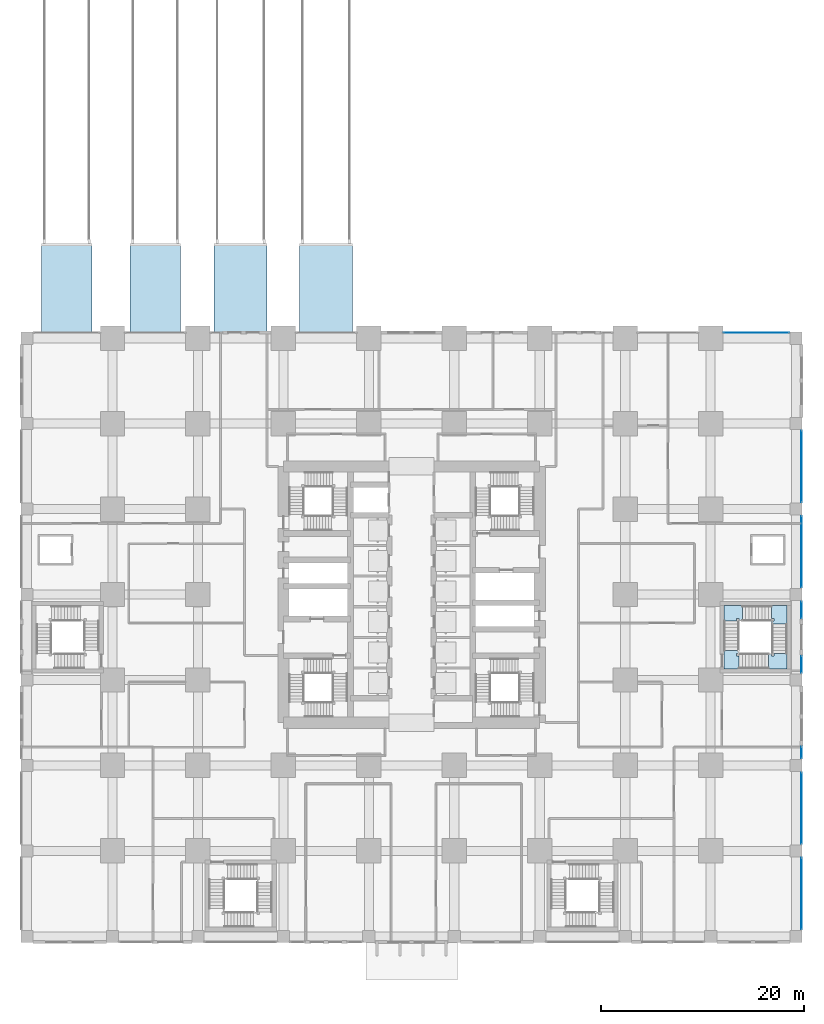
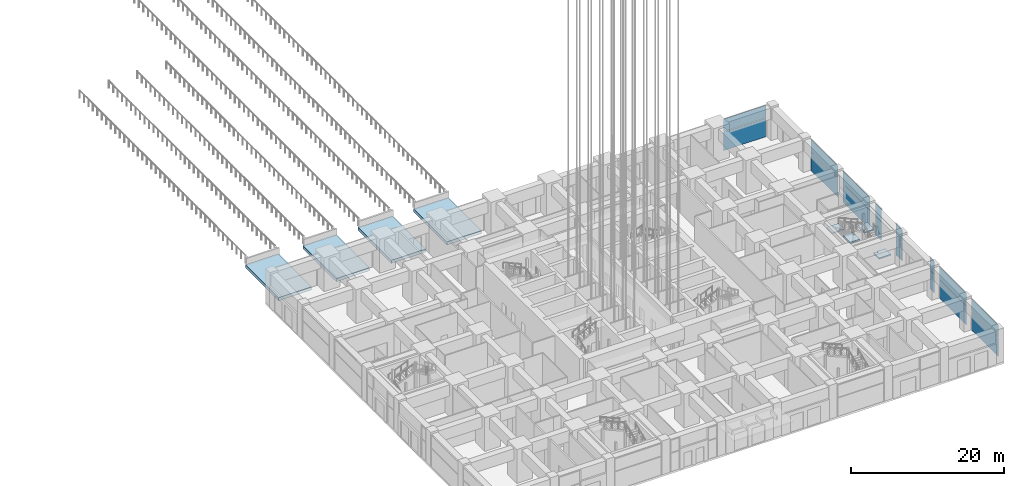
# One storey, part 36 of 81: 16 plates, 8 slabs, 9 elements without a shape of their own.
"""IFC4 building model written with IfcOpenShell, lengths in metres."""

from ifc_helpers import new_model, si_unit, direction, frame, origin, origin_2d, place, context, subcontext, project, spatial, polyline, rectangle, outline, extrude, material, layer, layer_set, type_object, element, aggregate, save


model = new_model("IFC4")

# Units and contexts
model_context = context("Model", 3, precision=1e-05, world=origin(), true_north=direction((0.0, 1.0)))
body_context = subcontext(model_context, "Body", "Model", "MODEL_VIEW")
ifc_project = project(units=[si_unit("LENGTHUNIT", "METRE"), si_unit("AREAUNIT", "SQUARE_METRE"), si_unit("VOLUMEUNIT", "CUBIC_METRE"), si_unit("PLANEANGLEUNIT", "RADIAN"), si_unit("MASSUNIT", "GRAM", prefix="KILO")], contexts=[model_context])

# Site, building, storey
site_placement = place(None, origin())
site = spatial("IfcSite", under=ifc_project, at=site_placement, CompositionType="ELEMENT")
building_placement = place(site_placement, origin())
building = spatial("IfcBuilding", under=site, at=building_placement, Name="Rekha Terrace Tower", CompositionType="ELEMENT")
storey_placement = place(building_placement, origin())
storey = spatial("IfcBuildingStorey", under=building, at=storey_placement, Name="L00", CompositionType="ELEMENT", Elevation=0.0)

# Curtain wall, plates
ifc_material_1 = material(Name="Aluminium framing", Category="aluminium")
curtain_wall_type = type_object("IfcCurtainWallType", Name="CW4 podium shopfront glazing", PredefinedType="USERDEFINED", material=ifc_material_1)
curtain_wall_1_placement = place(storey_placement, origin())
curtain_wall_1 = element("IfcCurtainWall", 1, at=curtain_wall_1_placement, inside=storey, type_object=curtain_wall_type, Name="CW4 shopfront curtain wall", ObjectType="SHOPFRONT CURTAIN WALL", PredefinedType="USERDEFINED")
ifc_material_2 = material(Name="Laminated double-glazed unit 30", Category="glass")
ifc_layer_1 = layer(ifc_material_2, 0.030029296875)
ifc_layer_set_1 = layer_set([ifc_layer_1], Name="Laminated double-glazed unit 30")
plate_type = type_object("IfcPlateType", Name="CW4 jumbo vision panel, laminated double-glazed unit 30", PredefinedType="CURTAIN_PANEL", material=ifc_layer_set_1)
plate_1_placement = place(storey_placement, frame((76.139892578125, 4.199951171875, 0.0), z_axis=(0.0, 0.0, 1.0), x_axis=(0.0, 1.0, 0.0)))
plate_1 = element("IfcPlate", 2, at=plate_1_placement, type_object=plate_type, Name="CW4 panel 1.1", PredefinedType="CURTAIN_PANEL", context=body_context, shape_type="SweptSolid", body=[
    extrude(rectangle(XDim=7.010009765625, YDim=0.030029296875, at=origin_2d()), origin(), (0.0, 0.0, 1.0), 2.96240234375),
])
plate_2_placement = place(storey_placement, frame((76.139892578125, 4.199951171875, 3.03759765625), z_axis=(0.0, 0.0, 1.0), x_axis=(0.0, 1.0, 0.0)))
plate_2 = element("IfcPlate", 3, at=plate_2_placement, type_object=plate_type, Name="CW4 panel 1.2", PredefinedType="CURTAIN_PANEL", context=body_context, shape_type="SweptSolid", body=[
    extrude(rectangle(XDim=7.010009765625, YDim=0.030029296875, at=origin_2d()), origin(), (0.0, 0.0, 1.0), 1.987548828125),
])
aggregate(curtain_wall_1, [plate_1, plate_2])

curtain_wall_2_placement = place(storey_placement, origin())
curtain_wall_2 = element("IfcCurtainWall", 4, at=curtain_wall_2_placement, inside=storey, type_object=curtain_wall_type, Name="CW4 shopfront curtain wall", ObjectType="SHOPFRONT CURTAIN WALL", PredefinedType="USERDEFINED")
plate_3_placement = place(storey_placement, frame((76.139892578125, 12.60009765625, 0.0), z_axis=(0.0, 0.0, 1.0), x_axis=(0.0, 1.0, 0.0)))
plate_3 = element("IfcPlate", 5, at=plate_3_placement, type_object=plate_type, Name="CW4 panel 1.1", PredefinedType="CURTAIN_PANEL", context=body_context, shape_type="SweptSolid", body=[
    extrude(rectangle(XDim=7.010009765625, YDim=0.030029296875, at=origin_2d()), origin(), (0.0, 0.0, 1.0), 2.96240234375),
])
plate_4_placement = place(storey_placement, frame((76.139892578125, 12.60009765625, 3.03759765625), z_axis=(0.0, 0.0, 1.0), x_axis=(0.0, 1.0, 0.0)))
plate_4 = element("IfcPlate", 6, at=plate_4_placement, type_object=plate_type, Name="CW4 panel 1.2", PredefinedType="CURTAIN_PANEL", context=body_context, shape_type="SweptSolid", body=[
    extrude(rectangle(XDim=7.010009765625, YDim=0.030029296875, at=origin_2d()), origin(), (0.0, 0.0, 1.0), 1.987548828125),
])
aggregate(curtain_wall_2, [plate_3, plate_4])

curtain_wall_3_placement = place(storey_placement, origin())
curtain_wall_3 = element("IfcCurtainWall", 7, at=curtain_wall_3_placement, inside=storey, type_object=curtain_wall_type, Name="CW4 shopfront curtain wall", ObjectType="SHOPFRONT CURTAIN WALL", PredefinedType="USERDEFINED")
plate_5_placement = place(storey_placement, frame((76.139892578125, 18.06005859375, 0.0), z_axis=(0.0, 0.0, 1.0), x_axis=(0.0, 1.0, 0.0)))
plate_5 = element("IfcPlate", 8, at=plate_5_placement, type_object=plate_type, Name="CW4 panel 1.1", PredefinedType="CURTAIN_PANEL", context=body_context, shape_type="SweptSolid", body=[
    extrude(rectangle(XDim=1.1298828125, YDim=0.030029296875, at=origin_2d()), origin(), (0.0, 0.0, 1.0), 2.96240234375),
])
plate_6_placement = place(storey_placement, frame((76.139892578125, 18.06005859375, 3.03759765625), z_axis=(0.0, 0.0, 1.0), x_axis=(0.0, 1.0, 0.0)))
plate_6 = element("IfcPlate", 9, at=plate_6_placement, type_object=plate_type, Name="CW4 panel 1.2", PredefinedType="CURTAIN_PANEL", context=body_context, shape_type="SweptSolid", body=[
    extrude(rectangle(XDim=1.1298828125, YDim=0.030029296875, at=origin_2d()), origin(), (0.0, 0.0, 1.0), 1.987548828125),
])
aggregate(curtain_wall_3, [plate_5, plate_6])

curtain_wall_4_placement = place(storey_placement, origin())
curtain_wall_4 = element("IfcCurtainWall", 10, at=curtain_wall_4_placement, inside=storey, type_object=curtain_wall_type, Name="CW4 shopfront curtain wall", ObjectType="SHOPFRONT CURTAIN WALL", PredefinedType="USERDEFINED")
plate_7_placement = place(storey_placement, frame((76.139892578125, 26.7099609375, 0.0), z_axis=(0.0, 0.0, 1.0), x_axis=(0.0, 1.0, 0.0)))
plate_7 = element("IfcPlate", 11, at=plate_7_placement, type_object=plate_type, Name="CW4 panel 1.1", PredefinedType="CURTAIN_PANEL", context=body_context, shape_type="SweptSolid", body=[
    extrude(rectangle(XDim=1.6298828125, YDim=0.030029296875, at=origin_2d()), origin(), (0.0, 0.0, 1.0), 2.96240234375),
])
plate_8_placement = place(storey_placement, frame((76.139892578125, 26.7099609375, 3.03759765625), z_axis=(0.0, 0.0, 1.0), x_axis=(0.0, 1.0, 0.0)))
plate_8 = element("IfcPlate", 12, at=plate_8_placement, type_object=plate_type, Name="CW4 panel 1.2", PredefinedType="CURTAIN_PANEL", context=body_context, shape_type="SweptSolid", body=[
    extrude(rectangle(XDim=1.6298828125, YDim=0.030029296875, at=origin_2d()), origin(), (0.0, 0.0, 1.0), 1.987548828125),
])
aggregate(curtain_wall_4, [plate_7, plate_8])

curtain_wall_5_placement = place(storey_placement, origin())
curtain_wall_5 = element("IfcCurtainWall", 13, at=curtain_wall_5_placement, inside=storey, type_object=curtain_wall_type, Name="CW4 shopfront curtain wall", ObjectType="SHOPFRONT CURTAIN WALL", PredefinedType="USERDEFINED")
plate_9_placement = place(storey_placement, frame((76.139892578125, 32.090087890625, 0.0), z_axis=(0.0, 0.0, 1.0), x_axis=(0.0, 1.0, 0.0)))
plate_9 = element("IfcPlate", 14, at=plate_9_placement, type_object=plate_type, Name="CW4 panel 1.1", PredefinedType="CURTAIN_PANEL", context=body_context, shape_type="SweptSolid", body=[
    extrude(rectangle(XDim=1.6298828125, YDim=0.030029296875, at=origin_2d()), origin(), (0.0, 0.0, 1.0), 2.96240234375),
])
plate_10_placement = place(storey_placement, frame((76.139892578125, 32.090087890625, 3.03759765625), z_axis=(0.0, 0.0, 1.0), x_axis=(0.0, 1.0, 0.0)))
plate_10 = element("IfcPlate", 15, at=plate_10_placement, type_object=plate_type, Name="CW4 panel 1.2", PredefinedType="CURTAIN_PANEL", context=body_context, shape_type="SweptSolid", body=[
    extrude(rectangle(XDim=1.6298828125, YDim=0.030029296875, at=origin_2d()), origin(), (0.0, 0.0, 1.0), 1.987548828125),
])
aggregate(curtain_wall_5, [plate_9, plate_10])

curtain_wall_6_placement = place(storey_placement, origin())
curtain_wall_6 = element("IfcCurtainWall", 16, at=curtain_wall_6_placement, inside=storey, type_object=curtain_wall_type, Name="CW4 shopfront curtain wall", ObjectType="SHOPFRONT CURTAIN WALL", PredefinedType="USERDEFINED")
plate_11_placement = place(storey_placement, frame((76.139892578125, 37.800048828125, 0.0), z_axis=(0.0, 0.0, 1.0), x_axis=(0.0, 1.0, 0.0)))
plate_11 = element("IfcPlate", 17, at=plate_11_placement, type_object=plate_type, Name="CW4 panel 1.1", PredefinedType="CURTAIN_PANEL", context=body_context, shape_type="SweptSolid", body=[
    extrude(rectangle(XDim=7.010009765625, YDim=0.030029296875, at=origin_2d()), origin(), (0.0, 0.0, 1.0), 2.96240234375),
])
plate_12_placement = place(storey_placement, frame((76.139892578125, 37.800048828125, 3.03759765625), z_axis=(0.0, 0.0, 1.0), x_axis=(0.0, 1.0, 0.0)))
plate_12 = element("IfcPlate", 18, at=plate_12_placement, type_object=plate_type, Name="CW4 panel 1.2", PredefinedType="CURTAIN_PANEL", context=body_context, shape_type="SweptSolid", body=[
    extrude(rectangle(XDim=7.010009765625, YDim=0.030029296875, at=origin_2d()), origin(), (0.0, 0.0, 1.0), 1.987548828125),
])
aggregate(curtain_wall_6, [plate_11, plate_12])

curtain_wall_7_placement = place(storey_placement, origin())
curtain_wall_7 = element("IfcCurtainWall", 19, at=curtain_wall_7_placement, inside=storey, type_object=curtain_wall_type, Name="CW4 shopfront curtain wall", ObjectType="SHOPFRONT CURTAIN WALL", PredefinedType="USERDEFINED")
plate_13_placement = place(storey_placement, frame((76.139892578125, 46.199951171875, 0.0), z_axis=(0.0, 0.0, 1.0), x_axis=(0.0, 1.0, 0.0)))
plate_13 = element("IfcPlate", 20, at=plate_13_placement, type_object=plate_type, Name="CW4 panel 1.1", PredefinedType="CURTAIN_PANEL", context=body_context, shape_type="SweptSolid", body=[
    extrude(rectangle(XDim=7.010009765625, YDim=0.030029296875, at=origin_2d()), origin(), (0.0, 0.0, 1.0), 2.96240234375),
])
plate_14_placement = place(storey_placement, frame((76.139892578125, 46.199951171875, 3.03759765625), z_axis=(0.0, 0.0, 1.0), x_axis=(0.0, 1.0, 0.0)))
plate_14 = element("IfcPlate", 21, at=plate_14_placement, type_object=plate_type, Name="CW4 panel 1.2", PredefinedType="CURTAIN_PANEL", context=body_context, shape_type="SweptSolid", body=[
    extrude(rectangle(XDim=7.010009765625, YDim=0.030029296875, at=origin_2d()), origin(), (0.0, 0.0, 1.0), 1.987548828125),
])
aggregate(curtain_wall_7, [plate_13, plate_14])

curtain_wall_8_placement = place(storey_placement, origin())
curtain_wall_8 = element("IfcCurtainWall", 22, at=curtain_wall_8_placement, inside=storey, type_object=curtain_wall_type, Name="CW4 shopfront curtain wall", ObjectType="SHOPFRONT CURTAIN WALL", PredefinedType="USERDEFINED")
plate_15_placement = place(storey_placement, frame((71.699951171875, 59.340087890625, 0.0), z_axis=(0.0, 0.0, 1.0), x_axis=(-1.0, 0.0, 0.0)))
plate_15 = element("IfcPlate", 23, at=plate_15_placement, type_object=plate_type, Name="CW4 panel 1.1", PredefinedType="CURTAIN_PANEL", context=body_context, shape_type="SweptSolid", body=[
    extrude(rectangle(XDim=6.409912109375, YDim=0.030029296875, at=origin_2d()), origin(), (0.0, 0.0, 1.0), 2.96240234375),
])
plate_16_placement = place(storey_placement, frame((71.699951171875, 59.340087890625, 3.03759765625), z_axis=(0.0, 0.0, 1.0), x_axis=(-1.0, 0.0, 0.0)))
plate_16 = element("IfcPlate", 24, at=plate_16_placement, type_object=plate_type, Name="CW4 panel 1.2", PredefinedType="CURTAIN_PANEL", context=body_context, shape_type="SweptSolid", body=[
    extrude(rectangle(XDim=6.409912109375, YDim=0.030029296875, at=origin_2d()), origin(), (0.0, 0.0, 1.0), 1.987548828125),
])
aggregate(curtain_wall_8, [plate_15, plate_16])

# Slabs
ifc_material_3 = material(Name="Concrete M40", Category="concrete")
ifc_layer_2 = layer(ifc_material_3, 0.5)
ifc_layer_set_2 = layer_set([ifc_layer_2], Name="Concrete M40")
slab_type_1 = type_object("IfcSlabType", Name="FD1 500 fire tender drive bridge slab", PredefinedType="FLOOR", material=ifc_layer_set_2)
for number, where, z_axis, x_axis, name in (
    (25, (1.39990234375, 59.39990234375, 0.0), (0.0, 0.0, 1.0), (1.0, 0.0, 0.0), "Fire tender drive bridge over ramp 1"),
    (26, (10.10009765625, 59.39990234375, 0.0), (0.0, 0.0, 1.0), (1.0, 0.0, 0.0), "Fire tender drive bridge over ramp 2"),
):
    element("IfcSlab", number, at=place(storey_placement, frame(where, z_axis=z_axis, x_axis=x_axis)), inside=storey, type_object=slab_type_1, Name=name, PredefinedType="FLOOR", context=body_context, shape_type="SweptSolid", body=[
        extrude(outline(polyline([(0.0, 0.0), (5.0, 0.0), (5.0, 8.700195312), (0.0, 8.700195312), (0.0, 0.0)])), origin(), (0.0, 0.0, -1.0), 0.5),
    ])
slab_1_placement = place(storey_placement, frame((18.39990234375, 59.39990234375, 0.0), z_axis=(0.0, 0.0, 1.0), x_axis=(1.0, 0.0, 0.0)))
element("IfcSlab", 27, at=slab_1_placement, inside=storey, type_object=slab_type_1, Name="Fire tender drive bridge over ramp 3", PredefinedType="FLOOR", context=body_context, shape_type="SweptSolid", body=[
    extrude(outline(polyline([(0.0, 0.0), (5.200195312, 0.0), (5.200195312, 8.700195312), (0.0, 8.700195312), (0.0, 0.0)])), origin(), (0.0, 0.0, -1.0), 0.5),
])
slab_2_placement = place(storey_placement, frame((26.800048828125, 59.39990234375, 0.0), z_axis=(0.0, 0.0, 1.0), x_axis=(1.0, 0.0, 0.0)))
element("IfcSlab", 28, at=slab_2_placement, inside=storey, type_object=slab_type_1, Name="Fire tender drive bridge over ramp 4", PredefinedType="FLOOR", context=body_context, shape_type="SweptSolid", body=[
    extrude(outline(polyline([(0.0, 0.0), (5.199951172, 0.0), (5.199951172, 8.700195312), (0.0, 8.700195312), (0.0, 0.0)])), origin(), (0.0, 0.0, -1.0), 0.5),
])

# Stair, slabs
stair_type = type_object("IfcStairType", Name="ST40 stair, 40 risers of 135, going 320, 1500 wide flights, 4 flights", PredefinedType="QUARTER_TURN_STAIR", material=ifc_material_3)
stair_placement = place(storey_placement, origin())
stair = element("IfcStair", 29, at=stair_placement, inside=storey, type_object=stair_type, Name="Stair SP2 L00 to L01", PredefinedType="QUARTER_TURN_STAIR")
ifc_layer_3 = layer(ifc_material_3, 0.199951171875)
ifc_layer_set_3 = layer_set([ifc_layer_3], Name="Concrete M40")
slab_type_2 = type_object("IfcSlabType", Name="LD1 200 concrete stair landing", PredefinedType="LANDING", material=ifc_layer_set_3)
slab_3_placement = place(storey_placement, frame((0.0, 0.0, 1.14990234375)))
slab_3 = element("IfcSlab", 30, at=slab_3_placement, type_object=slab_type_2, Name="SP2 landing 1", PredefinedType="LANDING", context=body_context, shape_type="SweptSolid", body=[
    extrude(outline(polyline([(74.699951171875, 27.800048828125), (74.699951171875, 26.300048828125), (72.8798828125, 26.300048828125), (72.8798828125, 27.800048828125), (73.199951171875, 27.800048828125), (73.199951171875, 27.550048828125), (73.449951171875, 27.550048828125), (73.449951171875, 27.800048828125), (74.699951171875, 27.800048828125)])), origin(), (0.0, 0.0, 1.0), 0.2001953125),
])
slab_4_placement = place(storey_placement, frame((0.0, 0.0, 2.5)))
slab_4 = element("IfcSlab", 31, at=slab_4_placement, type_object=slab_type_2, Name="SP2 landing 2", PredefinedType="LANDING", context=body_context, shape_type="SweptSolid", body=[
    extrude(outline(polyline([(73.199951171875, 32.5), (74.699951171875, 32.5), (74.699951171875, 30.679931640625), (73.199951171875, 30.679931640625), (73.199951171875, 31.0), (73.449951171875, 31.0), (73.449951171875, 31.25), (73.199951171875, 31.25), (73.199951171875, 32.5)])), origin(), (0.0, 0.0, 1.0), 0.199951171875),
])
slab_5_placement = place(storey_placement, frame((0.0, 0.0, 3.85009765625)))
slab_5 = element("IfcSlab", 32, at=slab_5_placement, type_object=slab_type_2, Name="SP2 landing 3", PredefinedType="LANDING", context=body_context, shape_type="SweptSolid", body=[
    extrude(outline(polyline([(68.5, 31.0), (68.5, 32.5), (70.320068359375, 32.5), (70.320068359375, 31.0), (70.0, 31.0), (70.0, 31.25), (69.75, 31.25), (69.75, 31.0), (68.5, 31.0)])), origin(), (0.0, 0.0, 1.0), 0.199951171875),
])
slab_6_placement = place(storey_placement, frame((0.0, 0.0, 5.199951171875)))
slab_6 = element("IfcSlab", 33, at=slab_6_placement, type_object=slab_type_2, Name="SP2 landing 4", PredefinedType="LANDING", context=body_context, shape_type="SweptSolid", body=[
    extrude(outline(polyline([(70.0, 26.300048828125), (68.5, 26.300048828125), (68.5, 28.1201171875), (70.0, 28.1201171875), (70.0, 27.800048828125), (69.75, 27.800048828125), (69.75, 27.550048828125), (70.0, 27.550048828125), (70.0, 26.300048828125)])), origin(), (0.0, 0.0, 1.0), 0.199951171875),
])
aggregate(stair, [slab_3, slab_4, slab_5, slab_6])

save(model, "model.ifc")
